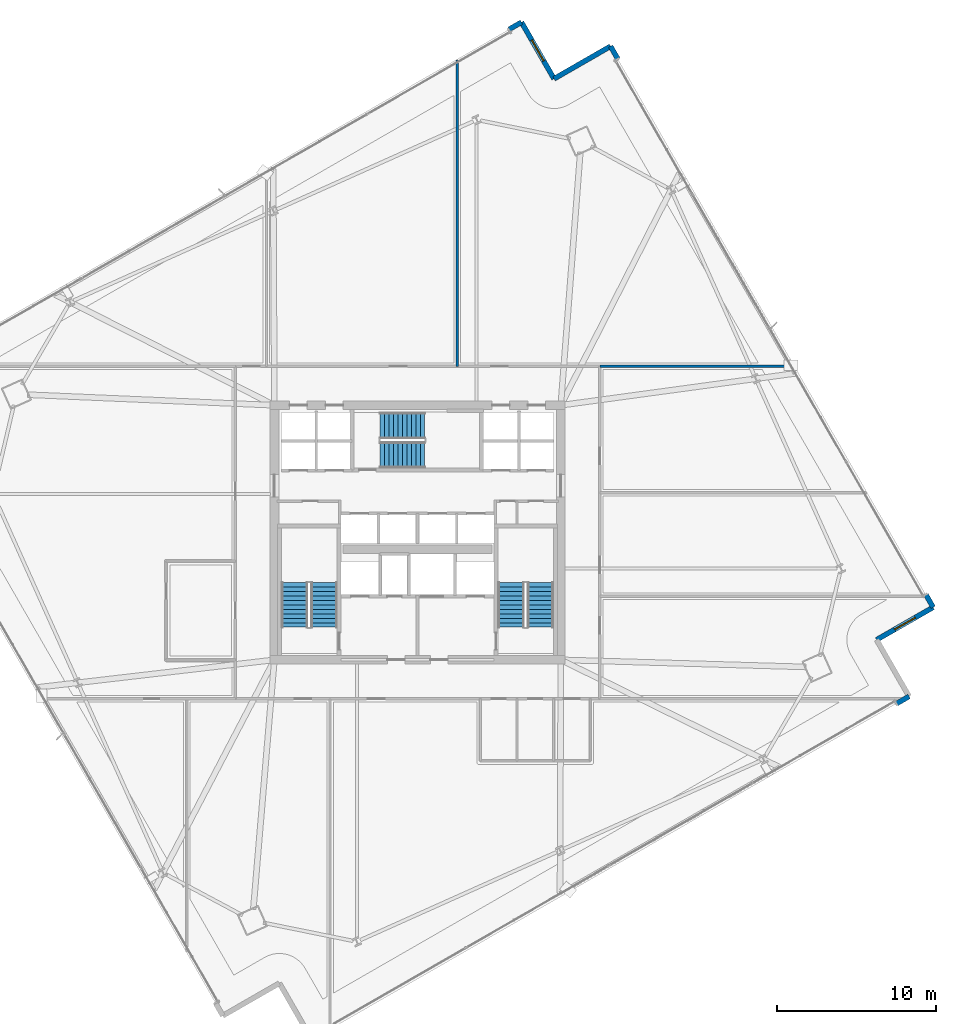
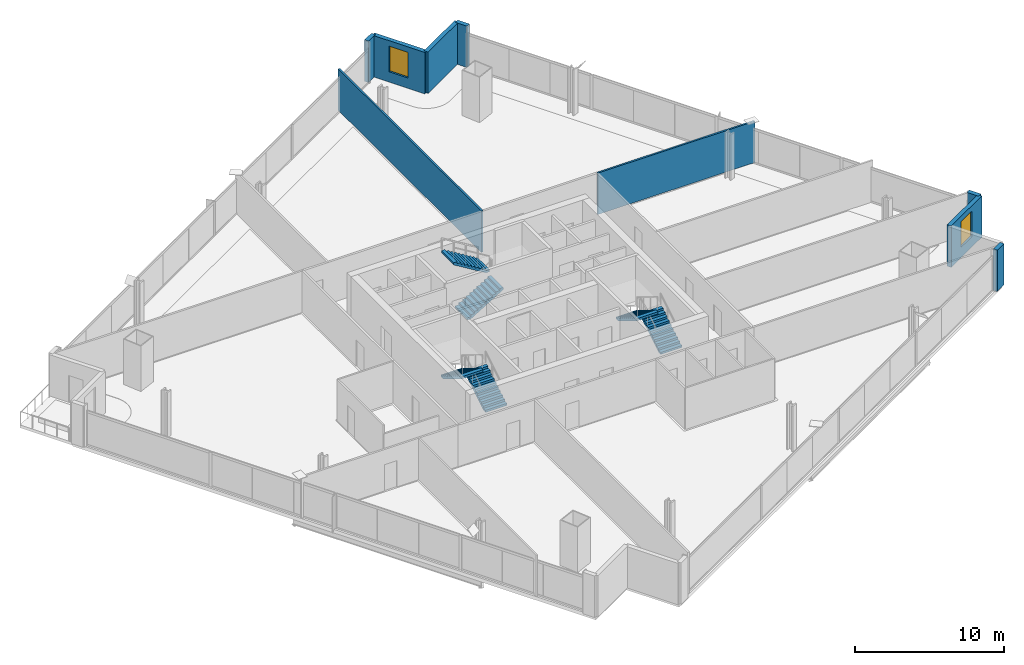
# One storey, part 26 of 33: 9 walls, 6 stair flights, 2 windows, 2 openings, 3 elements without a shape of their own.
"""IFC4 building model written with IfcOpenShell, lengths in metres."""

from ifc_helpers import new_model, si_unit, direction, frame, frame_2d, origin, place, context, subcontext, project, spatial, polyline, rectangle, outline, extrude, material, layer, layer_set, type_object, element, fill, aggregate, save


model = new_model("IFC4")

# Units and contexts
model_context = context("Model", 3, precision=1e-05, world=origin(), true_north=direction((0.0, 1.0)))
body_context = subcontext(model_context, "Body", "Model", "MODEL_VIEW")
ifc_project = project(units=[si_unit("LENGTHUNIT", "METRE"), si_unit("AREAUNIT", "SQUARE_METRE"), si_unit("VOLUMEUNIT", "CUBIC_METRE"), si_unit("PLANEANGLEUNIT", "RADIAN"), si_unit("MASSUNIT", "GRAM", prefix="KILO")], contexts=[model_context])

# Site, building, storey
site_placement = place(None, origin())
site = spatial("IfcSite", under=ifc_project, at=site_placement, CompositionType="ELEMENT")
building_placement = place(site_placement, origin())
building = spatial("IfcBuilding", under=site, at=building_placement, Name="Haldenkirk Collegiate Tower", CompositionType="ELEMENT")
storey_placement = place(building_placement, frame((0.0, 0.0, 127.949951171875)))
storey = spatial("IfcBuildingStorey", under=building, at=storey_placement, Name="L31", CompositionType="ELEMENT", Elevation=127.949951171875)

# Wall
ifc_material_1 = material(Name="Precast concrete f'c 40 MPa", Category="concrete")
ifc_layer_1 = layer(ifc_material_1, 0.320068359375)
ifc_layer_set_1 = layer_set([ifc_layer_1], Name="Precast concrete f'c 40 MPa")
wall_type_1 = type_object("IfcWallType", Name="WL-EXT-TWR-320", PredefinedType="STANDARD", material=ifc_layer_set_1)
wall_1_placement = place(storey_placement, frame((66.89404296875, 15.705078125, 0.0), z_axis=(0.0, 0.0, 1.0), x_axis=(-0.866871138283, -0.498532275396, 0.0)))
element("IfcWall", 1, at=wall_1_placement, inside=storey, type_object=wall_type_1, Name="L31 precast corner pier SL", PredefinedType="STANDARD", context=body_context, shape_type="SweptSolid", body=[
    extrude(rectangle(XDim=0.900146484375, YDim=0.320068359375, at=frame_2d((0.4501953125, 0.0))), origin(), (0.0, 0.0, 1.0), 3.400146484375),
])

# Wall, opening, window
wall_2_placement = place(storey_placement, frame((68.404541015625, 21.302978515625, 0.0), z_axis=(0.0, 0.0, 1.0), x_axis=(-0.866917238564, -0.498452105503, 0.0)))
wall_2 = element("IfcWall", 2, at=wall_2_placement, inside=storey, type_object=wall_type_1, Name="L31 bronze precast notch wall 03", PredefinedType="STANDARD", context=body_context, shape_type="SweptSolid", body=[
    extrude(rectangle(XDim=4.10009765625, YDim=0.320068359375, at=frame_2d((2.050048828125, 0.0))), origin(), (0.0, 0.0, 1.0), 3.400146484375),
])
opening_1_placement = place(wall_2_placement, frame((1.300048828125, 0.0, 0.85009765625)))
opening_1 = element("IfcOpeningElement", 3, at=opening_1_placement, cuts=wall_2, Name="Opening W-04", PredefinedType="OPENING", context=body_context, shape_type="SweptSolid", body=[
    extrude(rectangle(XDim=1.5, YDim=2.10009765625, at=frame_2d((0.75, 1.050048828125))), frame((0.0, 0.169921875, 0.0), z_axis=(0.0, -1.0, 0.0), x_axis=(1.0, 0.0, 0.0)), (0.0, 0.0, 1.0), 0.340087890625),
])
ifc_material_2 = material(Name="Low-E argon triple insulating glass", Category="glass")
ifc_layer_2 = layer(ifc_material_2, 0.090087890625)
ifc_layer_set_2 = layer_set([ifc_layer_2], Name="Low-E argon triple insulating glass")
window_type = type_object("IfcWindowType", Name="WN-Z2-1500X2100", PartitioningType="SINGLE_PANEL", PredefinedType="WINDOW", material=ifc_layer_set_2)
window_1_placement = place(opening_1_placement, origin())
window_1 = element("IfcWindow", 4, at=window_1_placement, inside=storey, type_object=window_type, Name="L31 precast-frame academic window 2", OverallHeight=2.10009765625, OverallWidth=1.5, PartitioningType="SINGLE_PANEL", PredefinedType="WINDOW", context=body_context, shape_type="SweptSolid", body=[
    extrude(rectangle(XDim=1.5, YDim=2.10009765625, at=frame_2d((0.75, 1.050048828125))), frame((0.0, 0.030029296875, 0.0), z_axis=(0.0, -1.0, 0.0), x_axis=(1.0, 0.0, 0.0)), (0.0, 0.0, 1.0), 0.06005859375),
])
fill(opening_1, window_1)

# Walls
for number, where, z_axis, x_axis, name in (
    (5, (48.12841796875, 56.564208984375, 0.0), (0.0, 0.0, 1.0), (0.498532275396, -0.866871138283, 0.0), "L31 precast corner pier EL"),
    (6, (67.955810546875, 22.083251953125, 0.0), (0.0, 0.0, 1.0), (0.498532275396, -0.866871138283, 0.0), "L31 precast corner pier ER"),
):
    element("IfcWall", number, at=place(storey_placement, frame(where, z_axis=z_axis, x_axis=x_axis)), inside=storey, type_object=wall_type_1, Name=name, PredefinedType="STANDARD", context=body_context, shape_type="SweptSolid", body=[
        extrude(rectangle(XDim=0.900146484375, YDim=0.320068359375, at=frame_2d((0.4501953125, 0.0))), origin(), (0.0, 0.0, 1.0), 3.400146484375),
    ])
wall_3_placement = place(storey_placement, frame((44.57421875, 54.520263671875, 0.0), z_axis=(0.0, 0.0, 1.0), x_axis=(0.866876710122, 0.498522586698, 0.0)))
element("IfcWall", 7, at=wall_3_placement, inside=storey, type_object=wall_type_1, Name="L31 bronze precast notch wall 05", PredefinedType="STANDARD", context=body_context, shape_type="SweptSolid", body=[
    extrude(rectangle(XDim=4.10009765625, YDim=0.320068359375, at=frame_2d((2.050048828125, 0.0))), origin(), (0.0, 0.0, 1.0), 3.400146484375),
])

# Wall, opening, window
wall_4_placement = place(storey_placement, frame((42.530517578125, 58.07470703125, 0.0), z_axis=(0.0, 0.0, 1.0), x_axis=(0.498452105503, -0.866917238564, 0.0)))
wall_4 = element("IfcWall", 8, at=wall_4_placement, inside=storey, type_object=wall_type_1, Name="L31 bronze precast notch wall 06", PredefinedType="STANDARD", context=body_context, shape_type="SweptSolid", body=[
    extrude(rectangle(XDim=4.10009765625, YDim=0.320068359375, at=frame_2d((2.050048828125, 0.0))), origin(), (0.0, 0.0, 1.0), 3.400146484375),
])
opening_2_placement = place(wall_4_placement, frame((1.300048828125, 0.0, 0.85009765625)))
opening_2 = element("IfcOpeningElement", 9, at=opening_2_placement, cuts=wall_4, Name="Opening W-04", PredefinedType="OPENING", context=body_context, shape_type="SweptSolid", body=[
    extrude(rectangle(XDim=1.5, YDim=2.10009765625, at=frame_2d((0.75, 1.050048828125))), frame((0.0, 0.169921875, 0.0), z_axis=(0.0, -1.0, 0.0), x_axis=(1.0, 0.0, 0.0)), (0.0, 0.0, 1.0), 0.340087890625),
])
window_2_placement = place(opening_2_placement, origin())
window_2 = element("IfcWindow", 10, at=window_2_placement, inside=storey, type_object=window_type, Name="L31 precast-frame academic window 5", OverallHeight=2.10009765625, OverallWidth=1.5, PartitioningType="SINGLE_PANEL", PredefinedType="WINDOW", context=body_context, shape_type="SweptSolid", body=[
    extrude(rectangle(XDim=1.5, YDim=2.10009765625, at=frame_2d((0.75, 1.050048828125))), frame((0.0, 0.030029296875, 0.0), z_axis=(0.0, -1.0, 0.0), x_axis=(1.0, 0.0, 0.0)), (0.0, 0.0, 1.0), 0.06005859375),
])
fill(opening_2, window_2)

# Walls
wall_5_placement = place(storey_placement, frame((41.750244140625, 57.6259765625, 0.0), z_axis=(0.0, 0.0, 1.0), x_axis=(0.866871138283, 0.498532275396, 0.0)))
element("IfcWall", 11, at=wall_5_placement, inside=storey, type_object=wall_type_1, Name="L31 precast corner pier NR", PredefinedType="STANDARD", context=body_context, shape_type="SweptSolid", body=[
    extrude(rectangle(XDim=0.900146484375, YDim=0.320068359375, at=frame_2d((0.4501953125, 0.0))), origin(), (0.0, 0.0, 1.0), 3.400146484375),
])
ifc_material_3 = material(Name="Acoustic fire-rated gypsum partition", Category="concrete")
ifc_layer_3 = layer(ifc_material_3, 0.139892578125)
ifc_layer_set_3 = layer_set([ifc_layer_3], Name="Acoustic fire-rated gypsum partition")
wall_type_2 = type_object("IfcWallType", Name="WL-INT-DIV-140", PredefinedType="PARTITIONING", material=ifc_layer_set_3)
wall_6_placement = place(storey_placement, frame((47.449951171875, 36.449951171875, 0.0), z_axis=(0.0, 0.0, 1.0), x_axis=(1.0, 0.0, 0.0)))
element("IfcWall", 12, at=wall_6_placement, inside=storey, type_object=wall_type_2, Name="L31 interior partition IW-L31-BEN", PredefinedType="PARTITIONING", context=body_context, shape_type="SweptSolid", body=[
    extrude(rectangle(XDim=12.198486328125, YDim=0.139892578125, at=frame_2d((6.09912109375, 0.0))), origin(), (0.0, 0.0, 1.0), 3.400146484375),
])
wall_7_placement = place(storey_placement, frame((38.5, 36.449951171875, 0.0), z_axis=(0.0, 0.0, 1.0), x_axis=(0.0, 1.0, 0.0)))
element("IfcWall", 13, at=wall_7_placement, inside=storey, type_object=wall_type_2, Name="L31 interior partition IW-L31-RN2", PredefinedType="PARTITIONING", context=body_context, shape_type="SweptSolid", body=[
    extrude(rectangle(XDim=19.260986328125, YDim=0.139892578125, at=frame_2d((9.63037109375, 0.0))), origin(), (0.0, 0.0, 1.0), 3.400146484375),
])

# Stair, stair flights
ifc_material_4 = material(Name="Concrete f'c 40 MPa", Category="concrete")
stair_type = type_object("IfcStairType", Name="STR-DOGLEG-1650", PredefinedType="HALF_TURN_STAIR", material=ifc_material_4)
stair_1_placement = place(storey_placement, origin())
stair_1 = element("IfcStair", 14, at=stair_1_placement, inside=storey, type_object=stair_type, Name="L31 Core Exit Stair ST-1", PredefinedType="HALF_TURN_STAIR")
stair_flight_type = type_object("IfcStairFlightType", Name="STF-FLIGHT-1650", PredefinedType="STRAIGHT", material=ifc_material_4)
stair_flight_1_placement = place(storey_placement, frame((30.125, 20.050048828125, 0.0), z_axis=(0.0, 0.0, 1.0), x_axis=(0.0, 1.0, 0.0)))
stair_flight_1 = element("IfcStairFlight", 15, at=stair_flight_1_placement, type_object=stair_flight_type, Name="ST-1 flight 1", NumberOfRisers=11, NumberOfTreads=10, PredefinedType="STRAIGHT", RiserHeight=0.170454545, TreadLength=0.28, context=body_context, shape_type="SweptSolid", body=[
    extrude(outline(polyline([(0.0, 0.0), (0.0, 0.17041015625), (0.280029296875, 0.17041015625), (0.280029296875, 0.3408203125), (0.56005859375, 0.3408203125), (0.56005859375, 0.511474609375), (0.840087890625, 0.511474609375), (0.840087890625, 0.681884765625), (1.1201171875, 0.681884765625), (1.1201171875, 0.852294921875), (1.39990234375, 0.852294921875), (1.39990234375, 1.022705078125), (1.679931640625, 1.022705078125), (1.679931640625, 1.193115234375), (1.9599609375, 1.193115234375), (1.9599609375, 1.363525390625), (2.239990234375, 1.363525390625), (2.239990234375, 1.5341796875), (2.52001953125, 1.5341796875), (2.52001953125, 1.70458984375), (2.800048828125, 1.70458984375), (2.800048828125, 1.875), (2.800048828125, 1.529052734375), (0.288330078125, 0.0), (0.0, 0.0)])), frame((0.0, 0.824951171875, 0.0), z_axis=(0.0, -1.0, 0.0), x_axis=(1.0, 0.0, 0.0)), (0.0, 0.0, 1.0), 1.64990234375),
])
stair_flight_2_placement = place(storey_placement, frame((28.27490234375, 22.85009765625, 1.875), z_axis=(0.0, 0.0, 1.0), x_axis=(0.0, -1.0, 0.0)))
stair_flight_2 = element("IfcStairFlight", 16, at=stair_flight_2_placement, type_object=stair_flight_type, Name="ST-1 flight 2", NumberOfRisers=11, NumberOfTreads=10, PredefinedType="STRAIGHT", RiserHeight=0.170454545, TreadLength=0.28, context=body_context, shape_type="SweptSolid", body=[
    extrude(outline(polyline([(0.0, 0.0), (0.0, 0.17041015625), (0.280029296875, 0.17041015625), (0.280029296875, 0.3408203125), (0.56005859375, 0.3408203125), (0.56005859375, 0.511474609375), (0.840087890625, 0.511474609375), (0.840087890625, 0.681884765625), (1.1201171875, 0.681884765625), (1.1201171875, 0.852294921875), (1.39990234375, 0.852294921875), (1.39990234375, 1.022705078125), (1.679931640625, 1.022705078125), (1.679931640625, 1.193115234375), (1.9599609375, 1.193115234375), (1.9599609375, 1.363525390625), (2.239990234375, 1.363525390625), (2.239990234375, 1.5341796875), (2.52001953125, 1.5341796875), (2.52001953125, 1.70458984375), (2.800048828125, 1.70458984375), (2.800048828125, 1.875), (2.800048828125, 1.529052734375), (0.288330078125, 0.0), (0.0, 0.0)])), frame((0.0, 0.824951171875, 0.0), z_axis=(0.0, -1.0, 0.0), x_axis=(1.0, 0.0, 0.0)), (0.0, 0.0, 1.0), 1.64990234375),
])
aggregate(stair_1, [stair_flight_1, stair_flight_2])

stair_2_placement = place(storey_placement, origin())
stair_2 = element("IfcStair", 17, at=stair_2_placement, inside=storey, type_object=stair_type, Name="L31 Core Exit Stair ST-2", PredefinedType="HALF_TURN_STAIR")
stair_flight_3_placement = place(storey_placement, frame((43.72509765625, 20.050048828125, 0.0), z_axis=(0.0, 0.0, 1.0), x_axis=(0.0, 1.0, 0.0)))
stair_flight_3 = element("IfcStairFlight", 18, at=stair_flight_3_placement, type_object=stair_flight_type, Name="ST-2 flight 1", NumberOfRisers=11, NumberOfTreads=10, PredefinedType="STRAIGHT", RiserHeight=0.170454545, TreadLength=0.28, context=body_context, shape_type="SweptSolid", body=[
    extrude(outline(polyline([(0.0, 0.0), (0.0, 0.17041015625), (0.280029296875, 0.17041015625), (0.280029296875, 0.3408203125), (0.56005859375, 0.3408203125), (0.56005859375, 0.511474609375), (0.840087890625, 0.511474609375), (0.840087890625, 0.681884765625), (1.1201171875, 0.681884765625), (1.1201171875, 0.852294921875), (1.39990234375, 0.852294921875), (1.39990234375, 1.022705078125), (1.679931640625, 1.022705078125), (1.679931640625, 1.193115234375), (1.9599609375, 1.193115234375), (1.9599609375, 1.363525390625), (2.239990234375, 1.363525390625), (2.239990234375, 1.5341796875), (2.52001953125, 1.5341796875), (2.52001953125, 1.70458984375), (2.800048828125, 1.70458984375), (2.800048828125, 1.875), (2.800048828125, 1.529052734375), (0.288330078125, 0.0), (0.0, 0.0)])), frame((0.0, 0.824951171875, 0.0), z_axis=(0.0, -1.0, 0.0), x_axis=(1.0, 0.0, 0.0)), (0.0, 0.0, 1.0), 1.64990234375),
])
stair_flight_4_placement = place(storey_placement, frame((41.875, 22.85009765625, 1.875), z_axis=(0.0, 0.0, 1.0), x_axis=(0.0, -1.0, 0.0)))
stair_flight_4 = element("IfcStairFlight", 19, at=stair_flight_4_placement, type_object=stair_flight_type, Name="ST-2 flight 2", NumberOfRisers=11, NumberOfTreads=10, PredefinedType="STRAIGHT", RiserHeight=0.170454545, TreadLength=0.28, context=body_context, shape_type="SweptSolid", body=[
    extrude(outline(polyline([(0.0, 0.0), (0.0, 0.17041015625), (0.280029296875, 0.17041015625), (0.280029296875, 0.3408203125), (0.56005859375, 0.3408203125), (0.56005859375, 0.511474609375), (0.840087890625, 0.511474609375), (0.840087890625, 0.681884765625), (1.1201171875, 0.681884765625), (1.1201171875, 0.852294921875), (1.39990234375, 0.852294921875), (1.39990234375, 1.022705078125), (1.679931640625, 1.022705078125), (1.679931640625, 1.193115234375), (1.9599609375, 1.193115234375), (1.9599609375, 1.363525390625), (2.239990234375, 1.363525390625), (2.239990234375, 1.5341796875), (2.52001953125, 1.5341796875), (2.52001953125, 1.70458984375), (2.800048828125, 1.70458984375), (2.800048828125, 1.875), (2.800048828125, 1.529052734375), (0.288330078125, 0.0), (0.0, 0.0)])), frame((0.0, 0.824951171875, 0.0), z_axis=(0.0, -1.0, 0.0), x_axis=(1.0, 0.0, 0.0)), (0.0, 0.0, 1.0), 1.64990234375),
])
aggregate(stair_2, [stair_flight_3, stair_flight_4])

stair_3_placement = place(storey_placement, origin())
stair_3 = element("IfcStair", 20, at=stair_3_placement, inside=storey, type_object=stair_type, Name="L31 Core Exit Stair ST-3", PredefinedType="HALF_TURN_STAIR")
stair_flight_5_placement = place(storey_placement, frame((33.64990234375, 30.875, 0.0), z_axis=(0.0, 0.0, 1.0), x_axis=(1.0, 0.0, 0.0)))
stair_flight_5 = element("IfcStairFlight", 21, at=stair_flight_5_placement, type_object=stair_flight_type, Name="ST-3 flight 1", NumberOfRisers=11, NumberOfTreads=10, PredefinedType="STRAIGHT", RiserHeight=0.170454545, TreadLength=0.28, context=body_context, shape_type="SweptSolid", body=[
    extrude(outline(polyline([(0.0, 0.0), (0.0, 0.17041015625), (0.280029296875, 0.17041015625), (0.280029296875, 0.3408203125), (0.56005859375, 0.3408203125), (0.56005859375, 0.511474609375), (0.840087890625, 0.511474609375), (0.840087890625, 0.681884765625), (1.1201171875, 0.681884765625), (1.1201171875, 0.852294921875), (1.39990234375, 0.852294921875), (1.39990234375, 1.022705078125), (1.679931640625, 1.022705078125), (1.679931640625, 1.193115234375), (1.9599609375, 1.193115234375), (1.9599609375, 1.363525390625), (2.239990234375, 1.363525390625), (2.239990234375, 1.5341796875), (2.52001953125, 1.5341796875), (2.52001953125, 1.70458984375), (2.800048828125, 1.70458984375), (2.800048828125, 1.875), (2.800048828125, 1.529052734375), (0.288330078125, 0.0), (0.0, 0.0)])), frame((0.0, 0.824951171875, 0.0), z_axis=(0.0, -1.0, 0.0), x_axis=(1.0, 0.0, 0.0)), (0.0, 0.0, 1.0), 1.64990234375),
])
stair_flight_6_placement = place(storey_placement, frame((36.449951171875, 32.72509765625, 1.875), z_axis=(0.0, 0.0, 1.0), x_axis=(-1.0, 0.0, 0.0)))
stair_flight_6 = element("IfcStairFlight", 22, at=stair_flight_6_placement, type_object=stair_flight_type, Name="ST-3 flight 2", NumberOfRisers=11, NumberOfTreads=10, PredefinedType="STRAIGHT", RiserHeight=0.170454545, TreadLength=0.28, context=body_context, shape_type="SweptSolid", body=[
    extrude(outline(polyline([(0.0, 0.0), (0.0, 0.17041015625), (0.280029296875, 0.17041015625), (0.280029296875, 0.3408203125), (0.56005859375, 0.3408203125), (0.56005859375, 0.511474609375), (0.840087890625, 0.511474609375), (0.840087890625, 0.681884765625), (1.1201171875, 0.681884765625), (1.1201171875, 0.852294921875), (1.39990234375, 0.852294921875), (1.39990234375, 1.022705078125), (1.679931640625, 1.022705078125), (1.679931640625, 1.193115234375), (1.9599609375, 1.193115234375), (1.9599609375, 1.363525390625), (2.239990234375, 1.363525390625), (2.239990234375, 1.5341796875), (2.52001953125, 1.5341796875), (2.52001953125, 1.70458984375), (2.800048828125, 1.70458984375), (2.800048828125, 1.875), (2.800048828125, 1.529052734375), (0.288330078125, 0.0), (0.0, 0.0)])), frame((0.0, 0.824951171875, 0.0), z_axis=(0.0, -1.0, 0.0), x_axis=(1.0, 0.0, 0.0)), (0.0, 0.0, 1.0), 1.64990234375),
])
aggregate(stair_3, [stair_flight_5, stair_flight_6])

save(model, "model.ifc")
